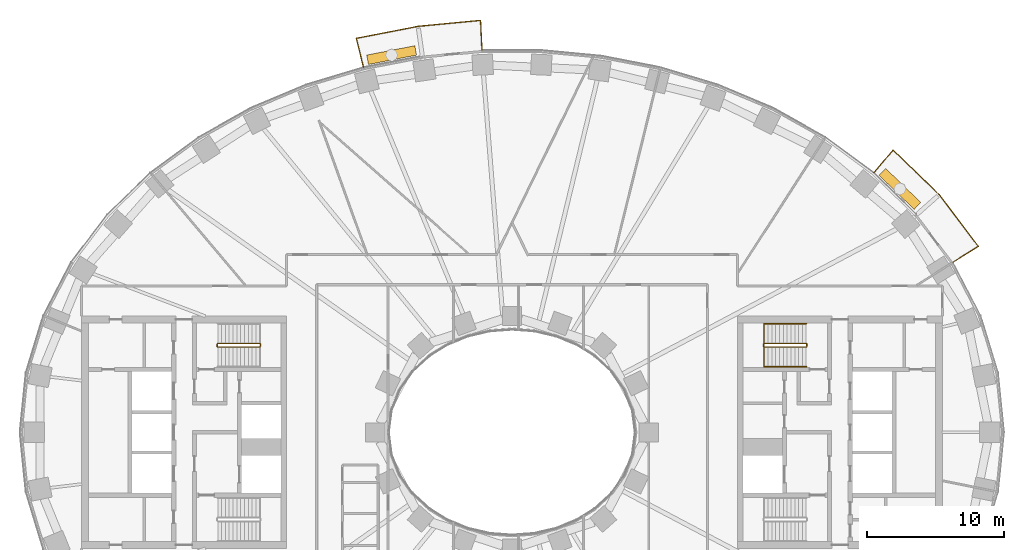
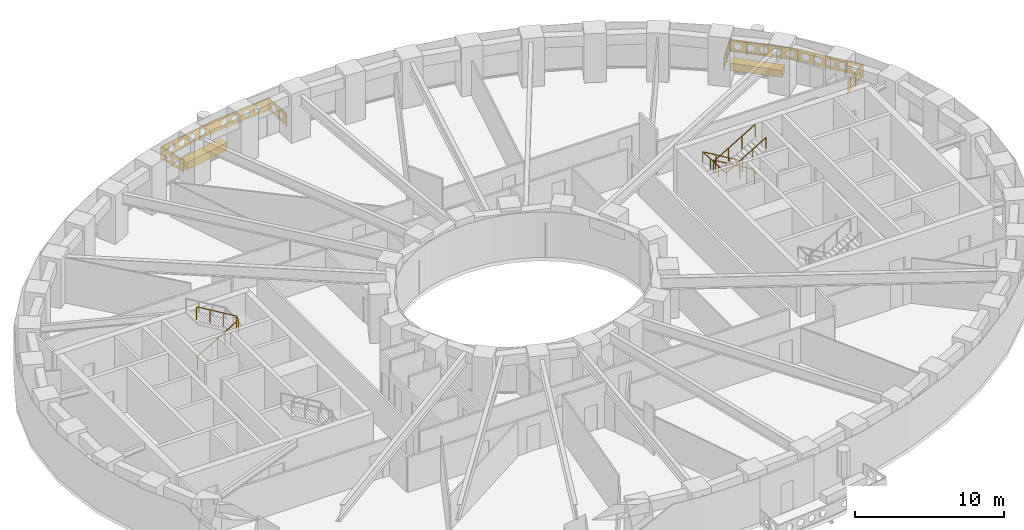
# One storey, part 15 of 16: 5 railings, 2 coverings.
"""IFC4 building model written with IfcOpenShell, lengths in metres."""

from ifc_helpers import new_model, si_unit, direction, frame, origin, origin_2d, place, context, subcontext, project, spatial, polyline, rectangle, outline, extrude, material, type_object, element, save


model = new_model("IFC4")

# Units and contexts
model_context = context("Model", 3, precision=1e-05, world=origin(), true_north=direction((0.0, 1.0)))
body_context = subcontext(model_context, "Body", "Model", "MODEL_VIEW")
ifc_project = project(units=[si_unit("LENGTHUNIT", "METRE"), si_unit("AREAUNIT", "SQUARE_METRE"), si_unit("VOLUMEUNIT", "CUBIC_METRE"), si_unit("PLANEANGLEUNIT", "RADIAN"), si_unit("MASSUNIT", "GRAM", prefix="KILO")], contexts=[model_context])

# Site, building, storey
site_placement = place(None, origin())
site = spatial("IfcSite", under=ifc_project, at=site_placement, CompositionType="ELEMENT")
building_placement = place(site_placement, origin())
building = spatial("IfcBuilding", under=site, at=building_placement, Name="Noorbagh Ring Tower", CompositionType="ELEMENT")
storey_placement = place(building_placement, frame((0.0, 0.0, 54.5)))
storey = spatial("IfcBuildingStorey", under=building, at=storey_placement, Name="L11", CompositionType="ELEMENT", Elevation=54.5)

# Railings
ifc_material_1 = material(Name="Stainless steel", Category="steel")
railing_type_1 = type_object("IfcRailingType", Name="CORE-STAIR-GUARD", PredefinedType="GUARDRAIL", material=ifc_material_1)
railing_1_placement = place(storey_placement, frame((-21.580078125, 6.300048828125, 0.0)))
element("IfcRailing", 1, at=railing_1_placement, inside=storey, type_object=railing_type_1, Name="L11 ST1 stair guard", PredefinedType="GUARDRAIL", context=body_context, shape_type="SweptSolid", body=[
    extrude(rectangle(XDim=0.048095703125, YDim=0.048095703125, at=origin_2d()), frame((0.0, 0.0, 1.076171875), z_axis=(0.0, 1.0, 0.0), x_axis=(-1.0, 0.0, 0.0)), (0.0, 0.0, 1.0), 0.14990234375),
    extrude(rectangle(XDim=0.048095703125, YDim=0.048095703125, at=origin_2d()), frame((0.0, 0.14990234375, 1.076171875), z_axis=(0.188775798145, -0.754182335027, 0.628945707965), x_axis=(0.970072785993, 0.242814311512, 0.0)), (0.0, 0.0, 1.0), 0.26513671875),
    extrude(rectangle(XDim=0.048095703125, YDim=0.048095703125, at=origin_2d()), frame((0.050048828125, -0.050048828125, 1.24267578125), z_axis=(0.859308565015, 0.0, 0.511457515432), x_axis=(0.0, 1.0, 0.0)), (0.0, 0.0, 1.0), 3.58447265625),
    extrude(rectangle(XDim=0.048095703125, YDim=0.048095703125, at=origin_2d()), frame((3.130126953125, -0.050048828125, 3.076171875), z_axis=(0.707106781187, 0.707106781187, 0.0), x_axis=(-0.707106781187, 0.707106781187, 0.0)), (0.0, 0.0, 1.0), 0.07080078125),
    extrude(rectangle(XDim=0.048095703125, YDim=0.048095703125, at=origin_2d()), frame((3.18017578125, 0.0, 3.076171875), z_axis=(0.0, 1.0, 0.0), x_axis=(-1.0, 0.0, 0.0)), (0.0, 0.0, 1.0), 0.14990234375),
    extrude(rectangle(XDim=0.048095703125, YDim=0.048095703125, at=origin_2d()), frame((3.18017578125, 0.14990234375, 3.076171875), z_axis=(-0.27628659633, 0.27628659633, 0.920506074601), x_axis=(-0.707106781187, -0.707106781187, 0.0)), (0.0, 0.0, 1.0), 0.18115234375),
    extrude(rectangle(XDim=0.048095703125, YDim=0.048095703125, at=origin_2d()), frame((3.130126953125, 0.199951171875, 3.24267578125), z_axis=(-0.859308565015, 0.0, 0.511457515432), x_axis=(0.0, -1.0, 0.0)), (0.0, 0.0, 1.0), 3.58447265625),
    extrude(rectangle(XDim=0.0419921875, YDim=0.0419921875, at=origin_2d()), origin(), (0.0, 0.0, 1.0), 1.052001953125),
    extrude(rectangle(XDim=0.0419921875, YDim=0.0419921875, at=origin_2d()), frame((1.07666015625, -0.050048828125, 0.77783203125)), (0.0, 0.0, 1.0), 1.052001953125),
    extrude(rectangle(XDim=0.0419921875, YDim=0.0419921875, at=origin_2d()), frame((2.103515625, -0.050048828125, 1.388916015625)), (0.0, 0.0, 1.0), 1.052001953125),
    extrude(rectangle(XDim=0.0419921875, YDim=0.0419921875, at=origin_2d()), frame((3.130126953125, -0.050048828125, 2.0)), (0.0, 0.0, 1.0), 1.052001953125),
    extrude(rectangle(XDim=0.0419921875, YDim=0.0419921875, at=origin_2d()), frame((3.130126953125, 0.199951171875, 2.166748046875)), (0.0, 0.0, 1.0), 1.052001953125),
    extrude(rectangle(XDim=0.0419921875, YDim=0.0419921875, at=origin_2d()), frame((2.103515625, 0.199951171875, 2.77783203125)), (0.0, 0.0, 1.0), 1.052001953125),
    extrude(rectangle(XDim=0.0419921875, YDim=0.0419921875, at=origin_2d()), frame((1.07666015625, 0.199951171875, 3.388916015625)), (0.0, 0.0, 1.0), 1.052001953125),
    extrude(rectangle(XDim=0.0419921875, YDim=0.0419921875, at=origin_2d()), frame((0.050048828125, 0.199951171875, 4.0)), (0.0, 0.0, 1.0), 1.052001953125),
])
railing_2_placement = place(storey_placement, frame((21.580078125, 6.449951171875, 0.0)))
element("IfcRailing", 2, at=railing_2_placement, inside=storey, type_object=railing_type_1, Name="L11 ST3 stair guard", PredefinedType="GUARDRAIL", context=body_context, shape_type="SweptSolid", body=[
    extrude(rectangle(XDim=0.048095703125, YDim=0.048095703125, at=origin_2d()), frame((0.0, 0.0, 1.076171875), z_axis=(0.0, -1.0, 0.0), x_axis=(1.0, 0.0, 0.0)), (0.0, 0.0, 1.0), 0.14990234375),
    extrude(rectangle(XDim=0.048095703125, YDim=0.048095703125, at=origin_2d()), frame((0.0, -0.14990234375, 1.076171875), z_axis=(-0.188775798145, 0.754182335027, 0.628945707965), x_axis=(-0.970072785993, -0.242814311512, 0.0)), (0.0, 0.0, 1.0), 0.26513671875),
    extrude(rectangle(XDim=0.048095703125, YDim=0.048095703125, at=origin_2d()), frame((-0.050048828125, 0.050048828125, 1.24267578125), z_axis=(-0.859308565015, 0.0, 0.511457515432), x_axis=(0.0, -1.0, 0.0)), (0.0, 0.0, 1.0), 3.58447265625),
    extrude(rectangle(XDim=0.048095703125, YDim=0.048095703125, at=origin_2d()), frame((-3.130126953125, 0.050048828125, 3.076171875), z_axis=(-0.707106781187, -0.707106781187, 0.0), x_axis=(0.707106781187, -0.707106781187, 0.0)), (0.0, 0.0, 1.0), 0.07080078125),
    extrude(rectangle(XDim=0.048095703125, YDim=0.048095703125, at=origin_2d()), frame((-3.18017578125, 0.0, 3.076171875), z_axis=(0.0, -1.0, 0.0), x_axis=(1.0, 0.0, 0.0)), (0.0, 0.0, 1.0), 0.14990234375),
    extrude(rectangle(XDim=0.048095703125, YDim=0.048095703125, at=origin_2d()), frame((-3.18017578125, -0.14990234375, 3.076171875), z_axis=(0.27628659633, -0.27628659633, 0.920506074601), x_axis=(0.707106781187, 0.707106781187, 0.0)), (0.0, 0.0, 1.0), 0.18115234375),
    extrude(rectangle(XDim=0.048095703125, YDim=0.048095703125, at=origin_2d()), frame((-3.130126953125, -0.199951171875, 3.24267578125), z_axis=(0.859308565015, 0.0, 0.511457515432), x_axis=(0.0, 1.0, 0.0)), (0.0, 0.0, 1.0), 3.58447265625),
    extrude(rectangle(XDim=0.0419921875, YDim=0.0419921875, at=origin_2d()), origin(), (0.0, 0.0, 1.0), 1.052001953125),
    extrude(rectangle(XDim=0.0419921875, YDim=0.0419921875, at=origin_2d()), frame((-1.07666015625, 0.050048828125, 0.77783203125)), (0.0, 0.0, 1.0), 1.052001953125),
    extrude(rectangle(XDim=0.0419921875, YDim=0.0419921875, at=origin_2d()), frame((-2.103515625, 0.050048828125, 1.388916015625)), (0.0, 0.0, 1.0), 1.052001953125),
    extrude(rectangle(XDim=0.0419921875, YDim=0.0419921875, at=origin_2d()), frame((-3.130126953125, 0.050048828125, 2.0)), (0.0, 0.0, 1.0), 1.052001953125),
    extrude(rectangle(XDim=0.0419921875, YDim=0.0419921875, at=origin_2d()), frame((-3.130126953125, -0.199951171875, 2.166748046875)), (0.0, 0.0, 1.0), 1.052001953125),
    extrude(rectangle(XDim=0.0419921875, YDim=0.0419921875, at=origin_2d()), frame((-2.103515625, -0.199951171875, 2.77783203125)), (0.0, 0.0, 1.0), 1.052001953125),
    extrude(rectangle(XDim=0.0419921875, YDim=0.0419921875, at=origin_2d()), frame((-1.07666015625, -0.199951171875, 3.388916015625)), (0.0, 0.0, 1.0), 1.052001953125),
    extrude(rectangle(XDim=0.0419921875, YDim=0.0419921875, at=origin_2d()), frame((-0.050048828125, -0.199951171875, 4.0)), (0.0, 0.0, 1.0), 1.052001953125),
])
ifc_material_2 = material(Name="Stainless steel", Category="steel")
railing_type_2 = type_object("IfcRailingType", Name="CORE-STAIR-HANDRAIL", PredefinedType="HANDRAIL", material=ifc_material_2)
railing_3_placement = place(storey_placement, frame((21.530029296875, 7.949951171875, 0.166748046875)))
element("IfcRailing", 3, at=railing_3_placement, inside=storey, type_object=railing_type_2, Name="L11 ST3 stair handrail", PredefinedType="HANDRAIL", context=body_context, shape_type="SweptSolid", body=[
    extrude(rectangle(XDim=0.048095703125, YDim=0.048095703125, at=origin_2d()), frame((0.0, 0.0, 0.8759765625), z_axis=(-0.859308565015, 0.0, 0.511457515432), x_axis=(0.0, -1.0, 0.0)), (0.0, 0.0, 1.0), 3.58447265625),
    extrude(rectangle(XDim=0.048095703125, YDim=0.048095703125, at=origin_2d()), frame((-3.080078125, 0.0, 2.708984375), z_axis=(0.0, -0.998601747152, 0.052863509014), x_axis=(1.0, 0.0, 0.0)), (0.0, 0.0, 1.0), 3.154296875),
    extrude(rectangle(XDim=0.048095703125, YDim=0.048095703125, at=origin_2d()), frame((-3.080078125, -3.14990234375, 2.8759765625), z_axis=(0.859308565015, 0.0, 0.511457515432), x_axis=(0.0, 1.0, 0.0)), (0.0, 0.0, 1.0), 3.58447265625),
    extrude(rectangle(XDim=0.0419921875, YDim=0.0419921875, at=origin_2d()), origin(), (0.0, 0.0, 1.0), 0.851806640625),
    extrude(rectangle(XDim=0.0419921875, YDim=0.0419921875, at=origin_2d()), frame((-1.026611328125, 0.0, 0.611083984375)), (0.0, 0.0, 1.0), 0.851806640625),
    extrude(rectangle(XDim=0.0419921875, YDim=0.0419921875, at=origin_2d()), frame((-2.053466796875, 0.0, 1.22216796875)), (0.0, 0.0, 1.0), 0.851806640625),
    extrude(rectangle(XDim=0.0419921875, YDim=0.0419921875, at=origin_2d()), frame((-3.080078125, 0.0, 1.833251953125)), (0.0, 0.0, 1.0), 0.851806640625),
    extrude(rectangle(XDim=0.0419921875, YDim=0.0419921875, at=origin_2d()), frame((-3.080078125, -1.050048828125, 1.888916015625)), (0.0, 0.0, 1.0), 0.851806640625),
    extrude(rectangle(XDim=0.0419921875, YDim=0.0419921875, at=origin_2d()), frame((-3.080078125, -2.099853515625, 1.9443359375)), (0.0, 0.0, 1.0), 0.851806640625),
    extrude(rectangle(XDim=0.0419921875, YDim=0.0419921875, at=origin_2d()), frame((-3.080078125, -3.14990234375, 2.0)), (0.0, 0.0, 1.0), 0.851806640625),
    extrude(rectangle(XDim=0.0419921875, YDim=0.0419921875, at=origin_2d()), frame((-2.053466796875, -3.14990234375, 2.611083984375)), (0.0, 0.0, 1.0), 0.851806640625),
    extrude(rectangle(XDim=0.0419921875, YDim=0.0419921875, at=origin_2d()), frame((-1.026611328125, -3.14990234375, 3.22216796875)), (0.0, 0.0, 1.0), 0.851806640625),
    extrude(rectangle(XDim=0.0419921875, YDim=0.0419921875, at=origin_2d()), frame((0.0, -3.14990234375, 3.833251953125)), (0.0, 0.0, 1.0), 0.851806640625),
])
ifc_material_3 = material(Name="Steel S275 black powder-coated", Category="steel")
railing_type_3 = type_object("IfcRailingType", Name="ENV-GUARD", PredefinedType="GUARDRAIL", material=ifc_material_3)
railing_4_placement = place(storey_placement, frame((32.255126953125, 12.434814453125, 0.0)))
element("IfcRailing", 4, at=railing_4_placement, inside=storey, type_object=railing_type_3, Name="Balcony guard BN01", PredefinedType="GUARDRAIL", context=body_context, shape_type="SweptSolid", body=[
    extrude(rectangle(XDim=0.048095703125, YDim=0.048095703125, at=origin_2d()), frame((0.0, 0.0, 1.076171875), z_axis=(0.844852397829, 0.534999463442, 0.0), x_axis=(-0.534999463442, 0.844852397829, 0.0)), (0.0, 0.0, 1.0), 2.207763671875),
    extrude(rectangle(XDim=0.048095703125, YDim=0.048095703125, at=origin_2d()), frame((1.865234375, 1.18115234375, 1.076171875), z_axis=(-0.604001613322, 0.796983093362, 0.0), x_axis=(-0.796983093362, -0.604001613322, 0.0)), (0.0, 0.0, 1.0), 4.7353515625),
    extrude(rectangle(XDim=0.048095703125, YDim=0.048095703125, at=origin_2d()), frame((-0.994873046875, 4.955078125, 1.076171875), z_axis=(-0.717212632946, 0.696854388766, 0.0), x_axis=(-0.696854388766, -0.717212632946, 0.0)), (0.0, 0.0, 1.0), 4.700927734375),
    extrude(rectangle(XDim=0.048095703125, YDim=0.048095703125, at=origin_2d()), frame((-4.366455078125, 8.23095703125, 1.076171875), z_axis=(-0.646413574048, -0.762987215677, 0.0), x_axis=(0.762987215677, -0.646413574048, 0.0)), (0.0, 0.0, 1.0), 2.205322265625),
    extrude(rectangle(XDim=0.0419921875, YDim=0.0419921875, at=origin_2d()), origin(), (0.0, 0.0, 1.0), 1.052001953125),
    extrude(rectangle(XDim=0.0419921875, YDim=0.0419921875, at=origin_2d()), frame((0.9326171875, 0.590576171875, 0.0)), (0.0, 0.0, 1.0), 1.052001953125),
    extrude(rectangle(XDim=0.0419921875, YDim=0.0419921875, at=origin_2d()), frame((1.865234375, 1.18115234375, 0.0)), (0.0, 0.0, 1.0), 1.052001953125),
    extrude(rectangle(XDim=0.0419921875, YDim=0.0419921875, at=origin_2d()), frame((1.150146484375, 2.12451171875, 0.0)), (0.0, 0.0, 1.0), 1.052001953125),
    extrude(rectangle(XDim=0.0419921875, YDim=0.0419921875, at=origin_2d()), frame((0.43505859375, 3.068115234375, 0.0)), (0.0, 0.0, 1.0), 1.052001953125),
    extrude(rectangle(XDim=0.0419921875, YDim=0.0419921875, at=origin_2d()), frame((-0.27978515625, 4.01171875, 0.0)), (0.0, 0.0, 1.0), 1.052001953125),
    extrude(rectangle(XDim=0.0419921875, YDim=0.0419921875, at=origin_2d()), frame((-0.994873046875, 4.955078125, 0.0)), (0.0, 0.0, 1.0), 1.052001953125),
    extrude(rectangle(XDim=0.0419921875, YDim=0.0419921875, at=origin_2d()), frame((-1.837890625, 5.77392578125, 0.0)), (0.0, 0.0, 1.0), 1.052001953125),
    extrude(rectangle(XDim=0.0419921875, YDim=0.0419921875, at=origin_2d()), frame((-2.6806640625, 6.593017578125, 0.0)), (0.0, 0.0, 1.0), 1.052001953125),
    extrude(rectangle(XDim=0.0419921875, YDim=0.0419921875, at=origin_2d()), frame((-3.5234375, 7.412109375, 0.0)), (0.0, 0.0, 1.0), 1.052001953125),
    extrude(rectangle(XDim=0.0419921875, YDim=0.0419921875, at=origin_2d()), frame((-4.366455078125, 8.23095703125, 0.0)), (0.0, 0.0, 1.0), 1.052001953125),
    extrude(rectangle(XDim=0.0419921875, YDim=0.0419921875, at=origin_2d()), frame((-5.0791015625, 7.3896484375, 0.0)), (0.0, 0.0, 1.0), 1.052001953125),
    extrude(rectangle(XDim=0.0419921875, YDim=0.0419921875, at=origin_2d()), frame((-5.7919921875, 6.54833984375, 0.0)), (0.0, 0.0, 1.0), 1.052001953125),
    extrude(outline(polyline([(0.0, 0.10009765625), (2.207763671875, 0.10009765625), (2.207763671875, 1.031982421875), (0.0, 1.031982421875), (0.0, 0.10009765625)]), holes=[polyline([(0.9638671875, 0.56591796875), (0.808837890625, 0.83447265625), (0.498779296875, 0.83447265625), (0.343994140625, 0.56591796875), (0.498779296875, 0.297607421875), (0.808837890625, 0.297607421875), (0.9638671875, 0.56591796875)]), polyline([(1.86376953125, 0.56591796875), (1.708984375, 0.83447265625), (1.39892578125, 0.83447265625), (1.243896484375, 0.56591796875), (1.39892578125, 0.297607421875), (1.708984375, 0.297607421875), (1.86376953125, 0.56591796875)])]), frame((-0.00537109375, 0.008544921875, 0.0), z_axis=(0.534999463442, -0.844852397829, 0.0), x_axis=(0.844852397829, 0.534999463442, 0.0)), (0.0, 0.0, 1.0), 0.02001953125),
    extrude(outline(polyline([(0.0, 0.10009765625), (4.7353515625, 0.10009765625), (4.7353515625, 1.031982421875), (0.0, 1.031982421875), (0.0, 0.10009765625)]), holes=[polyline([(0.877685546875, 0.56591796875), (0.72265625, 0.83447265625), (0.41259765625, 0.83447265625), (0.257568359375, 0.56591796875), (0.41259765625, 0.297607421875), (0.72265625, 0.297607421875), (0.877685546875, 0.56591796875)]), polyline([(1.777587890625, 0.56591796875), (1.62255859375, 0.83447265625), (1.312744140625, 0.83447265625), (1.15771484375, 0.56591796875), (1.312744140625, 0.297607421875), (1.62255859375, 0.297607421875), (1.777587890625, 0.56591796875)]), polyline([(2.677734375, 0.56591796875), (2.522705078125, 0.83447265625), (2.212646484375, 0.83447265625), (2.0576171875, 0.56591796875), (2.212646484375, 0.297607421875), (2.522705078125, 0.297607421875), (2.677734375, 0.56591796875)]), polyline([(3.57763671875, 0.56591796875), (3.422607421875, 0.83447265625), (3.112548828125, 0.83447265625), (2.95751953125, 0.56591796875), (3.112548828125, 0.297607421875), (3.422607421875, 0.297607421875), (3.57763671875, 0.56591796875)]), polyline([(4.4775390625, 0.56591796875), (4.32275390625, 0.83447265625), (4.0126953125, 0.83447265625), (3.857666015625, 0.56591796875), (4.0126953125, 0.297607421875), (4.32275390625, 0.297607421875), (4.4775390625, 0.56591796875)])]), frame((1.857177734375, 1.175048828125, 0.0), z_axis=(0.796983093362, 0.604001613322, 0.0), x_axis=(-0.604001613322, 0.796983093362, 0.0)), (0.0, 0.0, 1.0), 0.02001953125),
    extrude(outline(polyline([(0.0, 0.10009765625), (4.700927734375, 0.10009765625), (4.700927734375, 1.031982421875), (0.0, 1.031982421875), (0.0, 0.10009765625)]), holes=[polyline([(0.860595703125, 0.56591796875), (0.70556640625, 0.83447265625), (0.3955078125, 0.83447265625), (0.240478515625, 0.56591796875), (0.3955078125, 0.297607421875), (0.70556640625, 0.297607421875), (0.860595703125, 0.56591796875)]), polyline([(1.760498046875, 0.56591796875), (1.60546875, 0.83447265625), (1.29541015625, 0.83447265625), (1.140380859375, 0.56591796875), (1.29541015625, 0.297607421875), (1.60546875, 0.297607421875), (1.760498046875, 0.56591796875)]), polyline([(2.660400390625, 0.56591796875), (2.50537109375, 0.83447265625), (2.195556640625, 0.83447265625), (2.04052734375, 0.56591796875), (2.195556640625, 0.297607421875), (2.50537109375, 0.297607421875), (2.660400390625, 0.56591796875)]), polyline([(3.560546875, 0.56591796875), (3.405517578125, 0.83447265625), (3.095458984375, 0.83447265625), (2.9404296875, 0.56591796875), (3.095458984375, 0.297607421875), (3.405517578125, 0.297607421875), (3.560546875, 0.56591796875)]), polyline([(4.46044921875, 0.56591796875), (4.305419921875, 0.83447265625), (3.995361328125, 0.83447265625), (3.840576171875, 0.56591796875), (3.995361328125, 0.297607421875), (4.305419921875, 0.297607421875), (4.46044921875, 0.56591796875)])]), frame((-1.001953125, 4.947998046875, 0.0), z_axis=(0.696854388766, 0.717212632946, 0.0), x_axis=(-0.717212632946, 0.696854388766, 0.0)), (0.0, 0.0, 1.0), 0.02001953125),
    extrude(outline(polyline([(0.0, 0.10009765625), (2.205322265625, 0.10009765625), (2.205322265625, 1.031982421875), (0.0, 1.031982421875), (0.0, 0.10009765625)]), holes=[polyline([(0.962646484375, 0.56591796875), (0.8076171875, 0.83447265625), (0.49755859375, 0.83447265625), (0.342529296875, 0.56591796875), (0.49755859375, 0.297607421875), (0.8076171875, 0.297607421875), (0.962646484375, 0.56591796875)]), polyline([(1.862548828125, 0.56591796875), (1.707763671875, 0.83447265625), (1.397705078125, 0.83447265625), (1.24267578125, 0.56591796875), (1.397705078125, 0.297607421875), (1.707763671875, 0.297607421875), (1.862548828125, 0.56591796875)])]), frame((-4.35888671875, 8.224609375, 0.0), z_axis=(-0.762987215677, 0.646413574048, 0.0), x_axis=(-0.646413574048, -0.762987215677, 0.0)), (0.0, 0.0, 1.0), 0.02001953125),
])
railing_5_placement = place(storey_placement, frame((-2.193115234375, 27.947998046875, 0.0)))
element("IfcRailing", 5, at=railing_5_placement, inside=storey, type_object=railing_type_3, Name="Balcony guard BN04", PredefinedType="GUARDRAIL", context=body_context, shape_type="SweptSolid", body=[
    extrude(rectangle(XDim=0.048095703125, YDim=0.048095703125, at=origin_2d()), frame((0.0, 0.0, 1.076171875), z_axis=(-0.047554616162, 0.998868639252, 0.0), x_axis=(-0.998868639252, -0.047554616162, 0.0)), (0.0, 0.0, 1.0), 2.202392578125),
    extrude(rectangle(XDim=0.048095703125, YDim=0.048095703125, at=origin_2d()), frame((-0.104736328125, 2.199951171875, 1.076171875), z_axis=(-0.995477555764, -0.094997031379, 0.0), x_axis=(0.094997031379, -0.995477555764, 0.0)), (0.0, 0.0, 1.0), 4.59765625),
    extrude(rectangle(XDim=0.048095703125, YDim=0.048095703125, at=origin_2d()), frame((-4.681640625, 1.76318359375, 1.076171875), z_axis=(-0.981625049064, -0.1908199755, 0.0), x_axis=(0.1908199755, -0.981625049064, 0.0)), (0.0, 0.0, 1.0), 4.603271484375),
    extrude(rectangle(XDim=0.048095703125, YDim=0.048095703125, at=origin_2d()), frame((-9.200439453125, 0.884765625, 1.076171875), z_axis=(0.239848558412, -0.970810315679, 0.0), x_axis=(0.970810315679, 0.239848558412, 0.0)), (0.0, 0.0, 1.0), 2.20263671875),
    extrude(rectangle(XDim=0.0419921875, YDim=0.0419921875, at=origin_2d()), origin(), (0.0, 0.0, 1.0), 1.052001953125),
    extrude(rectangle(XDim=0.0419921875, YDim=0.0419921875, at=origin_2d()), frame((-0.05224609375, 1.10009765625, 0.0)), (0.0, 0.0, 1.0), 1.052001953125),
    extrude(rectangle(XDim=0.0419921875, YDim=0.0419921875, at=origin_2d()), frame((-0.104736328125, 2.199951171875, 0.0)), (0.0, 0.0, 1.0), 1.052001953125),
    extrude(rectangle(XDim=0.0419921875, YDim=0.0419921875, at=origin_2d()), frame((-1.2490234375, 2.0908203125, 0.0)), (0.0, 0.0, 1.0), 1.052001953125),
    extrude(rectangle(XDim=0.0419921875, YDim=0.0419921875, at=origin_2d()), frame((-2.39306640625, 1.9814453125, 0.0)), (0.0, 0.0, 1.0), 1.052001953125),
    extrude(rectangle(XDim=0.0419921875, YDim=0.0419921875, at=origin_2d()), frame((-3.537353515625, 1.872314453125, 0.0)), (0.0, 0.0, 1.0), 1.052001953125),
    extrude(rectangle(XDim=0.0419921875, YDim=0.0419921875, at=origin_2d()), frame((-4.681640625, 1.76318359375, 0.0)), (0.0, 0.0, 1.0), 1.052001953125),
    extrude(rectangle(XDim=0.0419921875, YDim=0.0419921875, at=origin_2d()), frame((-5.811279296875, 1.54345703125, 0.0)), (0.0, 0.0, 1.0), 1.052001953125),
    extrude(rectangle(XDim=0.0419921875, YDim=0.0419921875, at=origin_2d()), frame((-6.94091796875, 1.323974609375, 0.0)), (0.0, 0.0, 1.0), 1.052001953125),
    extrude(rectangle(XDim=0.0419921875, YDim=0.0419921875, at=origin_2d()), frame((-8.07080078125, 1.1044921875, 0.0)), (0.0, 0.0, 1.0), 1.052001953125),
    extrude(rectangle(XDim=0.0419921875, YDim=0.0419921875, at=origin_2d()), frame((-9.200439453125, 0.884765625, 0.0)), (0.0, 0.0, 1.0), 1.052001953125),
    extrude(rectangle(XDim=0.0419921875, YDim=0.0419921875, at=origin_2d()), frame((-8.936279296875, -0.1845703125, 0.0)), (0.0, 0.0, 1.0), 1.052001953125),
    extrude(rectangle(XDim=0.0419921875, YDim=0.0419921875, at=origin_2d()), frame((-8.672119140625, -1.253662109375, 0.0)), (0.0, 0.0, 1.0), 1.052001953125),
    extrude(outline(polyline([(0.0, 0.10009765625), (2.202392578125, 0.10009765625), (2.202392578125, 1.031982421875), (0.0, 1.031982421875), (0.0, 0.10009765625)]), holes=[polyline([(0.961181640625, 0.56591796875), (0.80615234375, 0.83447265625), (0.496337890625, 0.83447265625), (0.34130859375, 0.56591796875), (0.496337890625, 0.297607421875), (0.80615234375, 0.297607421875), (0.961181640625, 0.56591796875)]), polyline([(1.861328125, 0.56591796875), (1.706298828125, 0.83447265625), (1.396240234375, 0.83447265625), (1.2412109375, 0.56591796875), (1.396240234375, 0.297607421875), (1.706298828125, 0.297607421875), (1.861328125, 0.56591796875)])]), frame((-0.010009765625, -0.00048828125, 0.0), z_axis=(0.998868639252, 0.047554616162, 0.0), x_axis=(-0.047554616162, 0.998868639252, 0.0)), (0.0, 0.0, 1.0), 0.02001953125),
    extrude(outline(polyline([(0.0, 0.10009765625), (4.59765625, 0.10009765625), (4.59765625, 1.031982421875), (0.0, 1.031982421875), (0.0, 0.10009765625)]), holes=[polyline([(1.2587890625, 0.56591796875), (1.103759765625, 0.83447265625), (0.7939453125, 0.83447265625), (0.638916015625, 0.56591796875), (0.7939453125, 0.297607421875), (1.103759765625, 0.297607421875), (1.2587890625, 0.56591796875)]), polyline([(2.158935546875, 0.56591796875), (2.00390625, 0.83447265625), (1.69384765625, 0.83447265625), (1.538818359375, 0.56591796875), (1.69384765625, 0.297607421875), (2.00390625, 0.297607421875), (2.158935546875, 0.56591796875)]), polyline([(3.058837890625, 0.56591796875), (2.90380859375, 0.83447265625), (2.59375, 0.83447265625), (2.43896484375, 0.56591796875), (2.59375, 0.297607421875), (2.90380859375, 0.297607421875), (3.058837890625, 0.56591796875)]), polyline([(3.958740234375, 0.56591796875), (3.803955078125, 0.83447265625), (3.493896484375, 0.83447265625), (3.3388671875, 0.56591796875), (3.493896484375, 0.297607421875), (3.803955078125, 0.297607421875), (3.958740234375, 0.56591796875)])]), frame((-0.103759765625, 2.18994140625, 0.0), z_axis=(-0.094997031379, 0.995477555764, 0.0), x_axis=(-0.995477555764, -0.094997031379, 0.0)), (0.0, 0.0, 1.0), 0.02001953125),
    extrude(outline(polyline([(0.0, 0.10009765625), (4.603271484375, 0.10009765625), (4.603271484375, 1.031982421875), (0.0, 1.031982421875), (0.0, 0.10009765625)]), holes=[polyline([(1.26171875, 0.56591796875), (1.106689453125, 0.83447265625), (0.796630859375, 0.83447265625), (0.6416015625, 0.56591796875), (0.796630859375, 0.297607421875), (1.106689453125, 0.297607421875), (1.26171875, 0.56591796875)]), polyline([(2.16162109375, 0.56591796875), (2.006591796875, 0.83447265625), (1.69677734375, 0.83447265625), (1.541748046875, 0.56591796875), (1.69677734375, 0.297607421875), (2.006591796875, 0.297607421875), (2.16162109375, 0.56591796875)]), polyline([(3.061767578125, 0.56591796875), (2.90673828125, 0.83447265625), (2.5966796875, 0.83447265625), (2.441650390625, 0.56591796875), (2.5966796875, 0.297607421875), (2.90673828125, 0.297607421875), (3.061767578125, 0.56591796875)]), polyline([(3.961669921875, 0.56591796875), (3.806640625, 0.83447265625), (3.49658203125, 0.83447265625), (3.341796875, 0.56591796875), (3.49658203125, 0.297607421875), (3.806640625, 0.297607421875), (3.961669921875, 0.56591796875)])]), frame((-4.6796875, 1.75341796875, 0.0), z_axis=(-0.1908199755, 0.981625049064, 0.0), x_axis=(-0.981625049064, -0.1908199755, 0.0)), (0.0, 0.0, 1.0), 0.02001953125),
    extrude(outline(polyline([(0.0, 0.10009765625), (2.20263671875, 0.10009765625), (2.20263671875, 1.031982421875), (0.0, 1.031982421875), (0.0, 0.10009765625)]), holes=[polyline([(0.96142578125, 0.56591796875), (0.806396484375, 0.83447265625), (0.496337890625, 0.83447265625), (0.34130859375, 0.56591796875), (0.496337890625, 0.297607421875), (0.806396484375, 0.297607421875), (0.96142578125, 0.56591796875)]), polyline([(1.861328125, 0.56591796875), (1.706298828125, 0.83447265625), (1.396240234375, 0.83447265625), (1.241455078125, 0.56591796875), (1.396240234375, 0.297607421875), (1.706298828125, 0.297607421875), (1.861328125, 0.56591796875)])]), frame((-9.190673828125, 0.88720703125, 0.0), z_axis=(-0.970810315679, -0.239848558412, 0.0), x_axis=(0.239848558412, -0.970810315679, 0.0)), (0.0, 0.0, 1.0), 0.02001953125),
])

# Coverings
ifc_material_4 = material(Name="Concrete C30/37 planter with soil", Category="concrete")
covering_type = type_object("IfcCoveringType", Name="ENV-PLANTER", PredefinedType="CLADDING", material=ifc_material_4)
covering_1_placement = place(storey_placement, frame((28.3837890625, 17.814208984375, 0.0), z_axis=(0.0, 0.0, 1.0), x_axis=(-0.717224548362, 0.696842125038, 0.0)))
element("IfcCovering", 6, at=covering_1_placement, inside=storey, type_object=covering_type, Name="PLANTER BN01", ObjectType="PLANTER", PredefinedType="CLADDING", context=body_context, shape_type="SweptSolid", body=[
    extrude(rectangle(XDim=3.584228515625, YDim=0.699951171875, at=origin_2d()), origin(), (0.0, 0.0, 1.0), 0.60009765625),
])
covering_2_placement = place(storey_placement, frame((-8.807861328125, 27.603515625, 0.0), z_axis=(0.0, 0.0, 1.0), x_axis=(-0.981624952922, -0.190820470077, 0.0)))
element("IfcCovering", 7, at=covering_2_placement, inside=storey, type_object=covering_type, Name="PLANTER BN04", ObjectType="PLANTER", PredefinedType="CLADDING", context=body_context, shape_type="SweptSolid", body=[
    extrude(rectangle(XDim=3.586181640625, YDim=0.699951171875, at=origin_2d()), origin(), (0.0, 0.0, 1.0), 0.60009765625),
])

save(model, "model.ifc")
